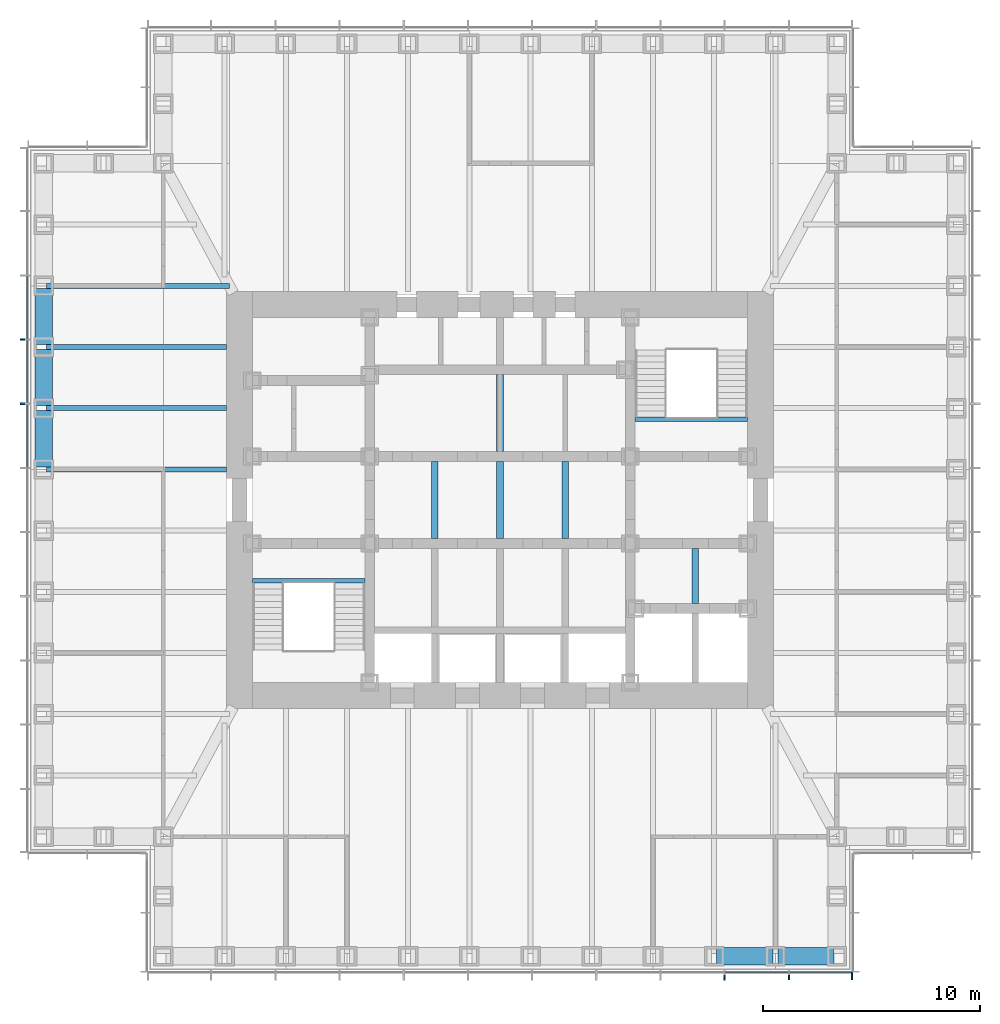
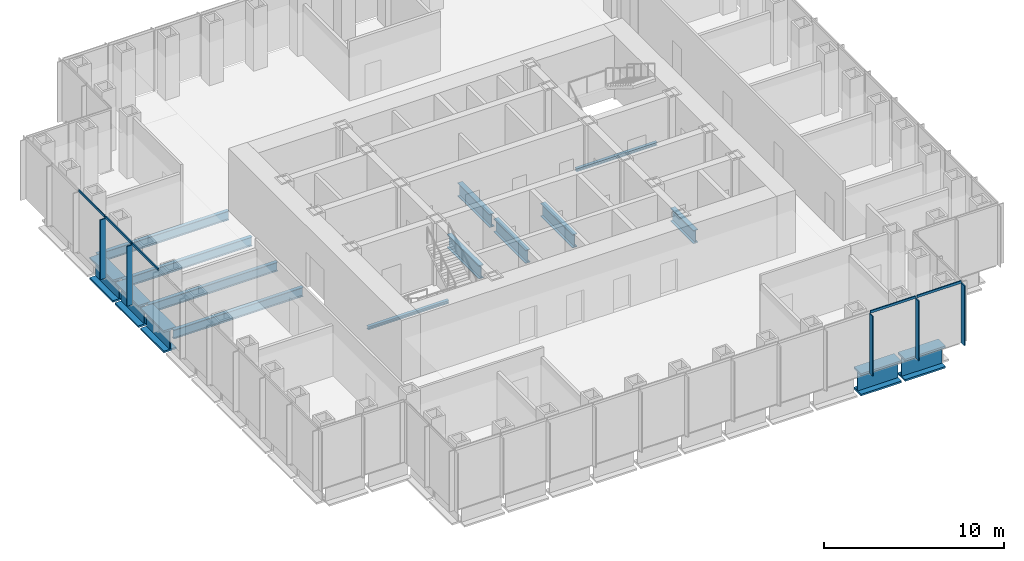
# One storey, part 3 of 16: 16 beams, 10 members, 2 elements without a shape of their own.
"""IFC4 building model written with IfcOpenShell, lengths in metres."""

from ifc_helpers import new_model, si_unit, direction, frame, origin, origin_2d, place, context, subcontext, project, spatial, rectangle, i_section, extrude, material, material_profile, profile_set, type_object, element, aggregate, save


model = new_model("IFC4")

# Units and contexts
model_context = context("Model", 3, precision=1e-05, world=origin(), true_north=direction((0.0, 1.0)))
body_context = subcontext(model_context, "Body", "Model", "MODEL_VIEW")
ifc_project = project(units=[si_unit("LENGTHUNIT", "METRE"), si_unit("AREAUNIT", "SQUARE_METRE"), si_unit("VOLUMEUNIT", "CUBIC_METRE"), si_unit("PLANEANGLEUNIT", "RADIAN"), si_unit("MASSUNIT", "GRAM", prefix="KILO")], contexts=[model_context])

# Site, building, storey
site_placement = place(None, origin())
site = spatial("IfcSite", under=ifc_project, at=site_placement, CompositionType="ELEMENT")
building_placement = place(site_placement, origin())
building = spatial("IfcBuilding", under=site, at=building_placement, Name="Daluyong Arena Tower", CompositionType="ELEMENT")
storey_placement = place(building_placement, frame((0.0, 0.0, 202.300048828125)))
storey = spatial("IfcBuildingStorey", under=building, at=storey_placement, Name="L45", CompositionType="ELEMENT", Elevation=202.300048828125)

# Curtain wall, members
ifc_material_1 = material(Name="Bronze anodised aluminium and glass", Category="aluminium")
curtain_wall_type = type_object("IfcCurtainWallType", Name="Curtain wall CW3", PredefinedType="USERDEFINED", material=ifc_material_1)
curtain_wall_1_placement = place(storey_placement, origin())
curtain_wall_1 = element("IfcCurtainWall", 1, at=curtain_wall_1_placement, inside=storey, type_object=curtain_wall_type, Name="curtain wall L45 S", ObjectType="UNITISED CURTAIN WALL", PredefinedType="USERDEFINED")
ifc_material_2 = material(Name="Bronze anodised aluminium fin", Category="aluminium")
ifc_material_profile_1 = material_profile(ifc_material_2, rectangle(XDim=0.35009765625, YDim=0.070068359375, at=origin_2d()))
ifc_profile_set_1 = profile_set([ifc_material_profile_1], Name="Bronze anodised aluminium fin")
member_type_1 = type_object("IfcMemberType", Name="CW3 bronze fin 350x70", PredefinedType="MULLION", material=ifc_profile_set_1)
member_1_placement = place(storey_placement, frame((66.3408203125, 58.074951171875, 0.0), z_axis=(0.0, 0.0, 1.0), x_axis=(0.0, 1.0, 0.0)))
member_1 = element("IfcMember", 2, at=member_1_placement, type_object=member_type_1, Name="curtain wall L45 S fin 10", PredefinedType="MULLION", context=body_context, shape_type="SweptSolid", body=[
    extrude(rectangle(XDim=0.35009765625, YDim=0.070068359375, at=origin_2d()), origin(), (0.0, 0.0, 1.0), 4.0400390625),
])
member_2_placement = place(storey_placement, frame((69.29541015625, 58.074951171875, 0.0), z_axis=(0.0, 0.0, 1.0), x_axis=(0.0, 1.0, 0.0)))
member_2 = element("IfcMember", 3, at=member_2_placement, type_object=member_type_1, Name="curtain wall L45 S fin 11", PredefinedType="MULLION", context=body_context, shape_type="SweptSolid", body=[
    extrude(rectangle(XDim=0.35009765625, YDim=0.070068359375, at=origin_2d()), origin(), (0.0, 0.0, 1.0), 4.0400390625),
])
member_3_placement = place(storey_placement, frame((72.215087890625, 58.074951171875, 0.0), z_axis=(0.0, 0.0, 1.0), x_axis=(0.0, 1.0, 0.0)))
member_3 = element("IfcMember", 4, at=member_3_placement, type_object=member_type_1, Name="curtain wall L45 S fin 12", PredefinedType="MULLION", context=body_context, shape_type="SweptSolid", body=[
    extrude(rectangle(XDim=0.35009765625, YDim=0.070068359375, at=origin_2d()), origin(), (0.0, 0.0, 1.0), 4.0400390625),
])

curtain_wall_2_placement = place(storey_placement, origin())
curtain_wall_2 = element("IfcCurtainWall", 5, at=curtain_wall_2_placement, inside=storey, type_object=curtain_wall_type, Name="curtain wall L45 W", ObjectType="UNITISED CURTAIN WALL", PredefinedType="USERDEFINED")
member_4_placement = place(storey_placement, frame((34.074951171875, 87.386474609375, 0.0), z_axis=(0.0, 0.0, 1.0), x_axis=(1.0, 0.0, 0.0)))
member_4 = element("IfcMember", 6, at=member_4_placement, type_object=member_type_1, Name="curtain wall L45 W fin 4", PredefinedType="MULLION", context=body_context, shape_type="SweptSolid", body=[
    extrude(rectangle(XDim=0.35009765625, YDim=0.070068359375, at=origin_2d()), origin(), (0.0, 0.0, 1.0), 4.0400390625),
])
member_5_placement = place(storey_placement, frame((34.074951171875, 84.431884765625, 0.0), z_axis=(0.0, 0.0, 1.0), x_axis=(1.0, 0.0, 0.0)))
member_5 = element("IfcMember", 7, at=member_5_placement, type_object=member_type_1, Name="curtain wall L45 W fin 5", PredefinedType="MULLION", context=body_context, shape_type="SweptSolid", body=[
    extrude(rectangle(XDim=0.35009765625, YDim=0.070068359375, at=origin_2d()), origin(), (0.0, 0.0, 1.0), 4.0400390625),
])

# Member
ifc_material_3 = material(Name="Bronze anodised aluminium", Category="aluminium")
ifc_material_profile_2 = material_profile(ifc_material_3, rectangle(XDim=0.070068359375, YDim=0.159912109375, at=origin_2d()))
ifc_profile_set_2 = profile_set([ifc_material_profile_2], Name="Bronze anodised aluminium")
member_type_2 = type_object("IfcMemberType", Name="CW3 stack transom 160x70", PredefinedType="USERDEFINED", material=ifc_profile_set_2)
member_6_placement = place(storey_placement, frame((66.3759765625, 58.25, 4.119873046875), z_axis=(1.0, 0.0, 0.0), x_axis=(0.0, 1.0, 0.0)))
member_6 = element("IfcMember", 8, at=member_6_placement, type_object=member_type_2, Name="curtain wall L45 S transom 10", ObjectType="TRANSOM", PredefinedType="USERDEFINED", context=body_context, shape_type="SweptSolid", body=[
    extrude(rectangle(XDim=0.070068359375, YDim=0.159912109375, at=origin_2d()), origin(), (0.0, 0.0, 1.0), 2.884521484375),
])

member_7_placement = place(storey_placement, frame((69.33056640625, 58.25, 4.119873046875), z_axis=(1.0, 0.0, 0.0), x_axis=(0.0, 1.0, 0.0)))
member_7 = element("IfcMember", 9, at=member_7_placement, type_object=member_type_2, Name="curtain wall L45 S transom 11", ObjectType="TRANSOM", PredefinedType="USERDEFINED", context=body_context, shape_type="SweptSolid", body=[
    extrude(rectangle(XDim=0.070068359375, YDim=0.159912109375, at=origin_2d()), origin(), (0.0, 0.0, 1.0), 2.849365234375),
])

aggregate(curtain_wall_1, [member_1, member_2, member_3, member_6, member_7])

member_8_placement = place(storey_placement, frame((34.25, 90.305908203125, 4.119873046875), z_axis=(0.0, -1.0, 0.0), x_axis=(1.0, 0.0, 0.0)))
member_8 = element("IfcMember", 10, at=member_8_placement, type_object=member_type_2, Name="curtain wall L45 W transom 3", ObjectType="TRANSOM", PredefinedType="USERDEFINED", context=body_context, shape_type="SweptSolid", body=[
    extrude(rectangle(XDim=0.070068359375, YDim=0.159912109375, at=origin_2d()), origin(), (0.0, 0.0, 1.0), 2.884521484375),
])

member_9_placement = place(storey_placement, frame((34.25, 87.351318359375, 4.119873046875), z_axis=(0.0, -1.0, 0.0), x_axis=(1.0, 0.0, 0.0)))
member_9 = element("IfcMember", 11, at=member_9_placement, type_object=member_type_2, Name="curtain wall L45 W transom 4", ObjectType="TRANSOM", PredefinedType="USERDEFINED", context=body_context, shape_type="SweptSolid", body=[
    extrude(rectangle(XDim=0.070068359375, YDim=0.159912109375, at=origin_2d()), origin(), (0.0, 0.0, 1.0), 2.884521484375),
])

member_10_placement = place(storey_placement, frame((34.25, 84.396728515625, 4.119873046875), z_axis=(0.0, -1.0, 0.0), x_axis=(1.0, 0.0, 0.0)))
member_10 = element("IfcMember", 12, at=member_10_placement, type_object=member_type_2, Name="curtain wall L45 W transom 5", ObjectType="TRANSOM", PredefinedType="USERDEFINED", context=body_context, shape_type="SweptSolid", body=[
    extrude(rectangle(XDim=0.070068359375, YDim=0.159912109375, at=origin_2d()), origin(), (0.0, 0.0, 1.0), 2.884521484375),
])

aggregate(curtain_wall_2, [member_4, member_5, member_8, member_9, member_10])

# Beams
ifc_material_4 = material(Name="Steel ASTM A992 Grade 50", Category="steel")
ifc_material_profile_3 = material_profile(ifc_material_4, i_section(OverallWidth=0.22900390625, OverallDepth=0.612060546875, WebThickness=0.011962890625, FlangeThickness=0.01953125, at=origin_2d()))
ifc_profile_set_3 = profile_set([ifc_material_profile_3], Name="Steel ASTM A992 Grade 50")
beam_type_1 = type_object("IfcBeamType", Name="Floor beam W24X84", PredefinedType="BEAM", material=ifc_profile_set_3)
beam_1_placement = place(storey_placement, frame((35.114990234375, 89.863525390625, -0.466064453125), z_axis=(1.0, 0.0, 0.0), x_axis=(0.0, 1.0, 0.0)))
element("IfcBeam", 13, at=beam_1_placement, inside=storey, type_object=beam_type_1, Name="floor beam FB3", PredefinedType="BEAM", context=body_context, shape_type="SweptSolid", body=[
    extrude(i_section(OverallWidth=0.22900390625, OverallDepth=0.612060546875, WebThickness=0.011962890625, FlangeThickness=0.01953125, at=origin_2d()), origin(), (0.0, 0.0, 1.0), 8.419921875),
])
for number, where, z_axis, x_axis, name in (
    (14, (35.114990234375, 87.04541015625, -0.466064453125), (1.0, 0.0, 0.0), (0.0, 1.0, 0.0), "floor beam FB3"),
    (15, (35.114990234375, 84.227294921875, -0.466064453125), (1.0, 0.0, 0.0), (0.0, 1.0, 0.0), "floor beam FB3"),
    (16, (35.114990234375, 81.4091796875, -0.466064453125), (1.0, 0.0, 0.0), (0.0, 1.0, 0.0), "floor beam FB3"),
):
    element("IfcBeam", number, at=place(storey_placement, frame(where, z_axis=z_axis, x_axis=x_axis)), inside=storey, type_object=beam_type_1, Name=name, PredefinedType="BEAM", context=body_context, shape_type="SweptSolid", body=[
        extrude(i_section(OverallWidth=0.22900390625, OverallDepth=0.612060546875, WebThickness=0.011962890625, FlangeThickness=0.01953125, at=origin_2d()), origin(), (0.0, 0.0, 1.0), 8.284912109375),
    ])
ifc_material_5 = material(Name="Steel ASTM A572 Grade 50", Category="steel")
ifc_material_profile_4 = material_profile(ifc_material_5, i_section(OverallWidth=0.300048828125, OverallDepth=0.89990234375, WebThickness=0.025, FlangeThickness=0.04, at=origin_2d()))
ifc_profile_set_4 = profile_set([ifc_material_profile_4], Name="Steel ASTM A572 Grade 50")
beam_type_2 = type_object("IfcBeamType", Name="Lift divider beam PG900X300", PredefinedType="BEAM", material=ifc_profile_set_4)
for number, where, z_axis, x_axis, name in (
    (17, (53.0, 78.22509765625, -0.610107421875), (0.0, 1.0, 0.0), (-1.0, 0.0, 0.0), "lift divider beam DB1"),
    (18, (56.0, 78.22509765625, -0.610107421875), (0.0, 1.0, 0.0), (-1.0, 0.0, 0.0), "lift divider beam DB1"),
    (19, (56.0, 82.22509765625, -0.610107421875), (0.0, 1.0, 0.0), (-1.0, 0.0, 0.0), "lift divider beam DB1"),
    (20, (59.0, 78.22509765625, -0.610107421875), (0.0, 1.0, 0.0), (-1.0, 0.0, 0.0), "lift divider beam DB1"),
):
    element("IfcBeam", number, at=place(storey_placement, frame(where, z_axis=z_axis, x_axis=x_axis)), inside=storey, type_object=beam_type_2, Name=name, PredefinedType="BEAM", context=body_context, shape_type="SweptSolid", body=[
        extrude(i_section(OverallWidth=0.300048828125, OverallDepth=0.89990234375, WebThickness=0.025, FlangeThickness=0.04, at=origin_2d()), origin(), (0.0, 0.0, 1.0), 3.5498046875),
    ])
beam_2_placement = place(storey_placement, frame((65.0, 75.22509765625, -0.610107421875), z_axis=(0.0, 1.0, 0.0), x_axis=(-1.0, 0.0, 0.0)))
element("IfcBeam", 21, at=beam_2_placement, inside=storey, type_object=beam_type_2, Name="lift divider beam DB1", PredefinedType="BEAM", context=body_context, shape_type="SweptSolid", body=[
    extrude(i_section(OverallWidth=0.300048828125, OverallDepth=0.89990234375, WebThickness=0.025, FlangeThickness=0.04, at=origin_2d()), origin(), (0.0, 0.0, 1.0), 2.5498046875),
])
ifc_material_6 = material(Name="Steel ASTM A588 Grade 50", Category="steel")
ifc_material_profile_5 = material_profile(ifc_material_6, i_section(OverallWidth=0.800048828125, OverallDepth=1.5, WebThickness=0.05, FlangeThickness=0.12, at=origin_2d()))
ifc_profile_set_5 = profile_set([ifc_material_profile_5], Name="Steel ASTM A588 Grade 50")
beam_type_3 = type_object("IfcBeamType", Name="Spandrel Z3 PG1500X800", PredefinedType="SPANDREL", material=ifc_profile_set_5)
beam_3_placement = place(storey_placement, frame((65.978515625, 59.0, -0.91015625), z_axis=(1.0, 0.0, 0.0), x_axis=(0.0, 1.0, 0.0)))
element("IfcBeam", 22, at=beam_3_placement, inside=storey, type_object=beam_type_3, Name="spandrel z3 SB7", PredefinedType="SPANDREL", context=body_context, shape_type="SweptSolid", body=[
    extrude(i_section(OverallWidth=0.800048828125, OverallDepth=1.5, WebThickness=0.05, FlangeThickness=0.12, at=origin_2d()), origin(), (0.0, 0.0, 1.0), 2.58837890625),
])
for number, where, z_axis, x_axis, name in (
    (23, (68.796875, 59.0, -0.91015625), (1.0, 0.0, 0.0), (0.0, 1.0, 0.0), "spandrel z3 SB7"),
    (24, (35.0, 89.74853515625, -0.91015625), (0.0, -1.0, 0.0), (1.0, 0.0, 0.0), "spandrel z3 SB7"),
    (25, (35.0, 86.930419921875, -0.91015625), (0.0, -1.0, 0.0), (1.0, 0.0, 0.0), "spandrel z3 SB7"),
    (26, (35.0, 84.1123046875, -0.91015625), (0.0, -1.0, 0.0), (1.0, 0.0, 0.0), "spandrel z3 SB7"),
):
    element("IfcBeam", number, at=place(storey_placement, frame(where, z_axis=z_axis, x_axis=x_axis)), inside=storey, type_object=beam_type_3, Name=name, PredefinedType="SPANDREL", context=body_context, shape_type="SweptSolid", body=[
        extrude(i_section(OverallWidth=0.800048828125, OverallDepth=1.5, WebThickness=0.05, FlangeThickness=0.12, at=origin_2d()), origin(), (0.0, 0.0, 1.0), 2.588134765625),
    ])
ifc_material_7 = material(Name="Steel ASTM A992 Grade 50", Category="steel")
ifc_material_profile_6 = material_profile(ifc_material_7, i_section(OverallWidth=0.203125, OverallDepth=0.203125, WebThickness=0.00732421875, FlangeThickness=0.010986328125, at=origin_2d()))
ifc_profile_set_6 = profile_set([ifc_material_profile_6], Name="Steel ASTM A992 Grade 50")
beam_type_4 = type_object("IfcBeamType", Name="Stair landing beam W8X31", PredefinedType="BEAM", material=ifc_profile_set_6)
for number, where, z_axis, x_axis, name in (
    (27, (44.60009765625, 76.276611328125, -0.26171875), (1.0, 0.0, 0.0), (0.0, 1.0, 0.0), "exit stair A landing beam"),
    (28, (62.22509765625, 83.723388671875, -0.26171875), (1.0, 0.0, 0.0), (0.0, 1.0, 0.0), "exit stair B landing beam"),
):
    element("IfcBeam", number, at=place(storey_placement, frame(where, z_axis=z_axis, x_axis=x_axis)), inside=storey, type_object=beam_type_4, Name=name, PredefinedType="BEAM", context=body_context, shape_type="SweptSolid", body=[
        extrude(i_section(OverallWidth=0.203125, OverallDepth=0.203125, WebThickness=0.00732421875, FlangeThickness=0.010986328125, at=origin_2d()), origin(), (0.0, 0.0, 1.0), 5.1748046875),
    ])

save(model, "model.ifc")
